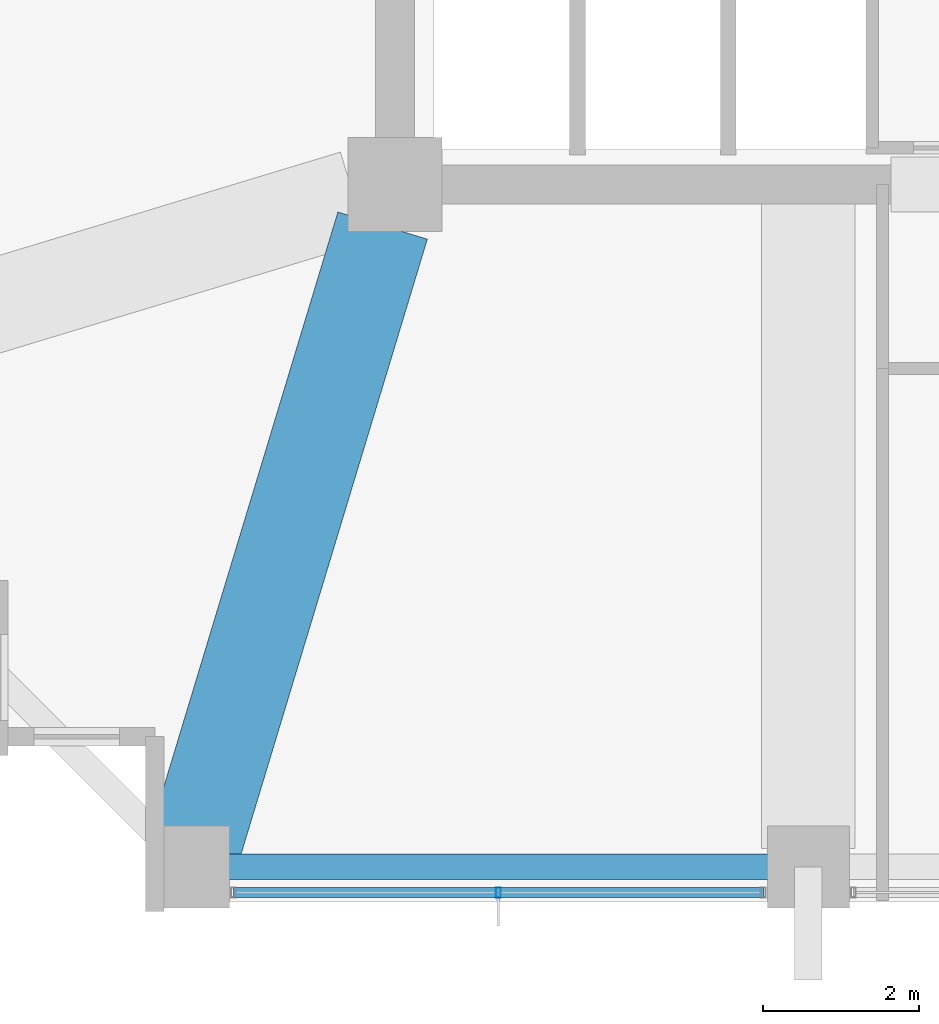
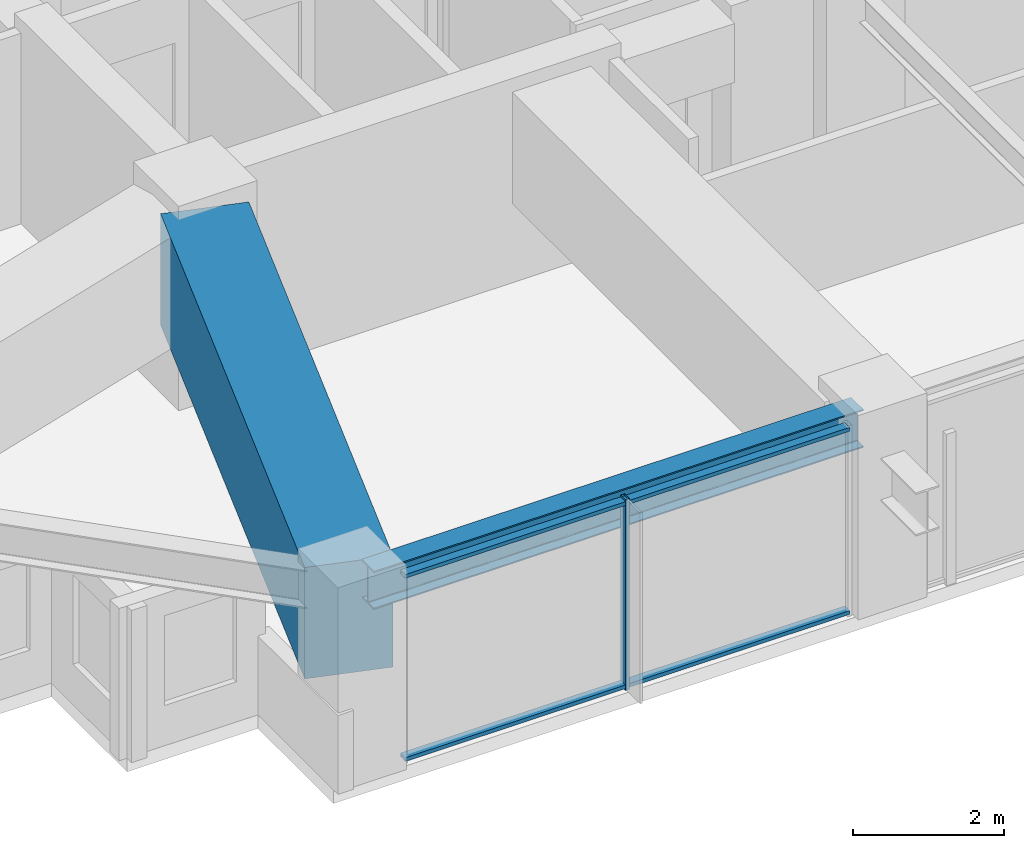
# One storey, part 3 of 36: 3 members, 2 beams, 1 element without a shape of its own.
"""IFC4 building model written with IfcOpenShell, lengths in metres."""

from ifc_helpers import new_model, si_unit, direction, frame, origin, origin_2d, place, context, subcontext, project, spatial, rectangle, hollow_rectangle, i_section, extrude, material, material_profile, profile_set, type_object, element, aggregate, save


model = new_model("IFC4")

# Units and contexts
model_context = context("Model", 3, precision=1e-05, world=origin(), true_north=direction((0.0, 1.0)))
body_context = subcontext(model_context, "Body", "Model", "MODEL_VIEW")
ifc_project = project(units=[si_unit("LENGTHUNIT", "METRE"), si_unit("AREAUNIT", "SQUARE_METRE"), si_unit("VOLUMEUNIT", "CUBIC_METRE"), si_unit("PLANEANGLEUNIT", "RADIAN"), si_unit("MASSUNIT", "GRAM", prefix="KILO")], contexts=[model_context])

# Site, building, storey
site_placement = place(None, origin())
site = spatial("IfcSite", under=ifc_project, at=site_placement, CompositionType="ELEMENT")
building_placement = place(site_placement, origin())
building = spatial("IfcBuilding", under=site, at=building_placement, Name="Kolvaren Belvedere", CompositionType="ELEMENT")
storey_placement = place(building_placement, frame((0.0, 0.0, 108.5)))
storey = spatial("IfcBuildingStorey", under=building, at=storey_placement, Name="L31", CompositionType="ELEMENT", Elevation=108.5)

# Beams
ifc_material_1 = material(Name="Structural steel ASTM A992 Grade 50", Category="steel")
ifc_material_profile_1 = material_profile(ifc_material_1, i_section(OverallWidth=0.324951171875, OverallDepth=0.615966796875, WebThickness=0.013916015625, FlangeThickness=0.021484375, FilletRadius=0.02001953125, at=origin_2d()), Name="W24X117")
ifc_profile_set_1 = profile_set([ifc_material_profile_1], Name="Structural steel ASTM A992 Grade 50")
beam_type_1 = type_object("IfcBeamType", Name="BM-SPAN-W24X117", PredefinedType="SPANDREL", material=ifc_profile_set_1)
beam_1_placement = place(storey_placement, frame((-12.313720703125, -18.64990234375, 2.77197265625), z_axis=(1.0, 0.0, 0.0), x_axis=(0.0, 1.0, 0.0)))
element("IfcBeam", 1, at=beam_1_placement, inside=storey, type_object=beam_type_1, Name="L31 Perimeter Spandrel S1-S2", PredefinedType="SPANDREL", context=body_context, shape_type="SweptSolid", body=[
    extrude(i_section(OverallWidth=0.324951171875, OverallDepth=0.615966796875, WebThickness=0.013916015625, FlangeThickness=0.021484375, FilletRadius=0.02001953125, at=origin_2d()), origin(), (0.0, 0.0, 1.0), 7.4775390625),
])
ifc_material_2 = material(Name="Concrete C50/60", Category="concrete")
ifc_material_profile_2 = material_profile(ifc_material_2, rectangle(XDim=1.199951171875, YDim=1.800048828125, at=origin_2d()), Name="RC 1200X1800")
ifc_profile_set_2 = profile_set([ifc_material_profile_2], Name="Concrete C50/60")
beam_type_2 = type_object("IfcBeamType", Name="BM-TG-1800", PredefinedType="BEAM", material=ifc_profile_set_2)
beam_2_placement = place(storey_placement, frame((-10.059326171875, -10.426513671875, 2.179931640625), z_axis=(-0.289858652454, -0.957069465398, 0.0), x_axis=(0.957069465398, -0.289858652454, 0.0)))
element("IfcBeam", 2, at=beam_2_placement, inside=storey, type_object=beam_type_2, Name="L31 Corner Core-to-Perimeter Girder CC1-S1", PredefinedType="BEAM", context=body_context, shape_type="SweptSolid", body=[
    extrude(rectangle(XDim=1.199951171875, YDim=1.800048828125, at=origin_2d()), origin(), (0.0, 0.0, 1.0), 8.38232421875),
])

# Curtain wall, members
ifc_material_3 = material(Name="Anodised pale-metal aluminium AA 6063-T6", Category="aluminium")
curtain_wall_type = type_object("IfcCurtainWallType", Name="CW-Z3-WAIST", PredefinedType="NOTDEFINED", material=ifc_material_3)
curtain_wall_placement = place(storey_placement, origin())
curtain_wall = element("IfcCurtainWall", 3, at=curtain_wall_placement, inside=storey, type_object=curtain_wall_type, Name="L31 Unitised Curtain Wall FCW-L31-S-B3", PredefinedType="NOTDEFINED")
ifc_material_4 = material(Name="Anodised pale-metal aluminium AA 6063-T6", Category="aluminium")
ifc_material_profile_3 = material_profile(ifc_material_4, hollow_rectangle(XDim=0.06494140625, YDim=0.1298828125, WallThickness=0.00390625, at=origin_2d()), Name="ALU-MUL-130X65")
ifc_profile_set_3 = profile_set([ifc_material_profile_3], Name="Anodised pale-metal aluminium AA 6063-T6")
member_type_1 = type_object("IfcMemberType", Name="CW-MUL-130", PredefinedType="MULLION", material=ifc_profile_set_3)
member_1_placement = place(storey_placement, frame((-8.574951171875, -18.97998046875, 0.0), z_axis=(0.0, 0.0, 1.0), x_axis=(1.0, 0.0, 0.0)))
member_1 = element("IfcMember", 4, at=member_1_placement, type_object=member_type_1, Name="FCW-L31-S-B3 Unitised Mullion 2", PredefinedType="MULLION", context=body_context, shape_type="SweptSolid", body=[
    extrude(hollow_rectangle(XDim=0.06494140625, YDim=0.1298828125, WallThickness=0.00390625, at=origin_2d()), origin(), (0.0, 0.0, 1.0), 3.080078125),
])
ifc_material_5 = material(Name="Anodised pale-metal aluminium AA 6063-T6", Category="aluminium")
ifc_material_profile_4 = material_profile(ifc_material_5, hollow_rectangle(XDim=0.06005859375, YDim=0.1298828125, WallThickness=0.00390625, at=origin_2d()), Name="ALU-TRN-130X60")
ifc_profile_set_4 = profile_set([ifc_material_profile_4], Name="Anodised pale-metal aluminium AA 6063-T6")
member_type_2 = type_object("IfcMemberType", Name="CW-TRN-130", PredefinedType="USERDEFINED", material=ifc_profile_set_4)
member_2_placement = place(storey_placement, frame((-5.177490234375, -18.97998046875, 0.06005859375), z_axis=(-1.0, 0.0, 0.0), x_axis=(0.0, 0.0, 1.0)))
member_2 = element("IfcMember", 5, at=member_2_placement, type_object=member_type_2, Name="FCW-L31-S-B3 Sill Transom", ObjectType="TRANSOM", PredefinedType="USERDEFINED", context=body_context, shape_type="SweptSolid", body=[
    extrude(hollow_rectangle(XDim=0.06005859375, YDim=0.1298828125, WallThickness=0.00390625, at=origin_2d()), origin(), (0.0, 0.0, 1.0), 6.794921875),
])
member_3_placement = place(storey_placement, frame((-5.177490234375, -18.97998046875, 3.02001953125), z_axis=(-1.0, 0.0, 0.0), x_axis=(0.0, 0.0, 1.0)))
member_3 = element("IfcMember", 6, at=member_3_placement, type_object=member_type_2, Name="FCW-L31-S-B3 Head Transom", ObjectType="TRANSOM", PredefinedType="USERDEFINED", context=body_context, shape_type="SweptSolid", body=[
    extrude(hollow_rectangle(XDim=0.06005859375, YDim=0.1298828125, WallThickness=0.00390625, at=origin_2d()), origin(), (0.0, 0.0, 1.0), 6.794921875),
])
aggregate(curtain_wall, [member_1, member_2, member_3])

save(model, "model.ifc")
